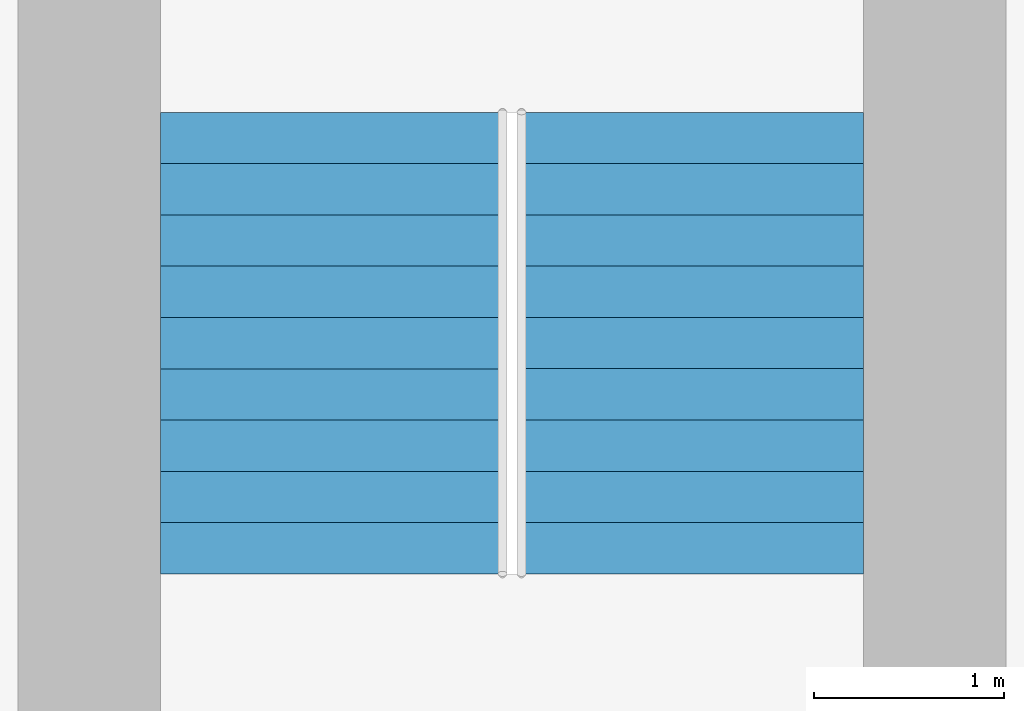
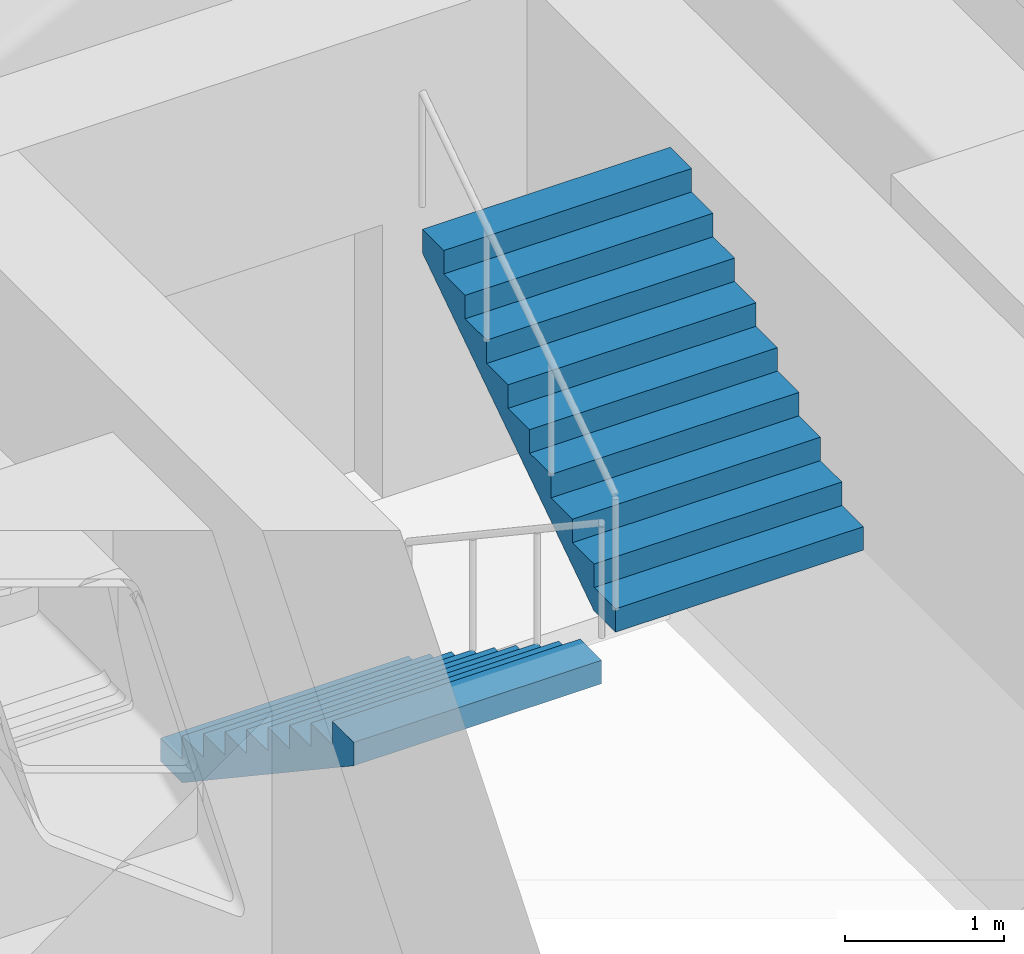
# One storey, part 14 of 15: 2 stair flights, 1 element without a shape of its own.
"""IFC4 building model written with IfcOpenShell, lengths in metres."""

import ifcopenshell
import ifcopenshell.guid

model = None  # the IFC model being written
_history = None  # IfcOwnerHistory: only IFC2X3 demands one
_inside = {}  # id of a spatial element -> (the spatial element, [elements in it])
_under = {}  # id of a project, library or spatial element -> (it, [spatial elements below it])
_declared = {}  # id of a project -> (the project, [libraries it declares])
_typed = {}  # id of a type object -> (the type object, [elements of that type])
_made_of = {}  # id of a material, layer set ... -> (it, [elements and type objects made of it])


def new_model(schema):
    """Start an empty IFC model of exactly this schema.

    Asked for "IFC4X3", IfcOpenShell would pick the latest addendum, in which some entities
    have other attributes; the version numbers below select the first issue.
    IFC2X3 requires an IfcOwnerHistory on every rooted entity: one is made here for all.
    """
    global model, _history
    if schema == "IFC4X3":
        model = ifcopenshell.file(schema_version=(4, 3, 0, 0))
    else:
        model = ifcopenshell.file(schema=schema)
    _inside.clear()
    _under.clear()
    _declared.clear()
    _typed.clear()
    _made_of.clear()
    _history = None
    if model.schema == "IFC2X3":
        org = make("IfcOrganization", Name="unknown")
        user = make(
            "IfcPersonAndOrganization",
            ThePerson=make("IfcPerson", FamilyName="unknown"),
            TheOrganization=org,
        )
        app = make(
            "IfcApplication",
            ApplicationDeveloper=org,
            Version="unknown",
            ApplicationFullName="unknown",
            ApplicationIdentifier="unknown",
        )
        _history = make(
            "IfcOwnerHistory",
            OwningUser=user,
            OwningApplication=app,
            ChangeAction="ADDED",
            CreationDate=0,
        )
    return model


def make(cls, **values):
    """One entity of the class cls with the attributes given. An attribute that is None is left unset."""
    return model.create_entity(
        cls, **{name: value for name, value in values.items() if value is not None}
    )


def rooted(cls, **values):
    """An entity with a GlobalId (a new one), such as an element, a storey or a relation."""
    return make(cls, GlobalId=ifcopenshell.guid.new(), OwnerHistory=_history, **values)


def si_unit(unit_type, name, prefix=None):
    """IfcSIUnit, for example si_unit("LENGTHUNIT", "METRE", prefix="MILLI")."""
    return make("IfcSIUnit", UnitType=unit_type, Prefix=prefix, Name=name)


def assignment(units):
    """IfcUnitAssignment: the units of a project."""
    return None if units is None else make("IfcUnitAssignment", Units=units)


def point(xyz):
    """IfcCartesianPoint."""
    return None if xyz is None else make("IfcCartesianPoint", Coordinates=xyz)


def direction(xyz):
    """IfcDirection."""
    return None if xyz is None else make("IfcDirection", DirectionRatios=xyz)


def frame(location, z_axis=None, x_axis=None):
    """IfcAxis2Placement3D, a coordinate frame: its origin and axes. An axis left out is left unset."""
    return make(
        "IfcAxis2Placement3D",
        Location=point(location),
        Axis=direction(z_axis),
        RefDirection=direction(x_axis),
    )


def origin():
    """The frame at (0, 0, 0) with its axes left unset."""
    return frame((0.0, 0.0, 0.0))


def place(relative_to, where):
    """IfcLocalPlacement: puts the frame where relative to a parent placement (None: the world)."""
    return make(
        "IfcLocalPlacement", PlacementRelTo=relative_to, RelativePlacement=where
    )


def context(
    kind, dimensions, precision=None, world=None, true_north=None, identifier=None
):
    """IfcGeometricRepresentationContext, for example the 3D "Model" context."""
    return make(
        "IfcGeometricRepresentationContext",
        ContextIdentifier=identifier,
        ContextType=kind,
        CoordinateSpaceDimension=dimensions,
        Precision=precision,
        WorldCoordinateSystem=world,
        TrueNorth=true_north,
    )


def subcontext(parent, identifier, kind, view, scale=None):
    """IfcGeometricRepresentationSubContext, for example "Body" below "Model"."""
    return make(
        "IfcGeometricRepresentationSubContext",
        ContextIdentifier=identifier,
        ContextType=kind,
        ParentContext=parent,
        TargetScale=scale,
        TargetView=view,
    )


def project(units=None, contexts=None):
    """IfcProject with its units and contexts."""
    return rooted(
        "IfcProject",
        Name="project",
        RepresentationContexts=contexts,
        UnitsInContext=assignment(units),
    )


def spatial(cls, under=None, at=None, **own):
    """A site, building, storey or space (cls), placed at a placement, below another one or the project."""
    s = rooted(cls, ObjectPlacement=at, **own)
    if under is not None:
        _under.setdefault(under.id(), (under, []))[1].append(s)
    return s


def polyline(points):
    """IfcPolyline through the points."""
    return make("IfcPolyline", Points=[point(p) for p in points])


def outline(outer, holes=None, kind="AREA"):
    """IfcArbitraryClosedProfileDef: a profile drawn as a closed curve; with holes, ...WithVoids."""
    if holes is None:
        return make("IfcArbitraryClosedProfileDef", ProfileType=kind, OuterCurve=outer)
    return make(
        "IfcArbitraryProfileDefWithVoids",
        ProfileType=kind,
        OuterCurve=outer,
        InnerCurves=holes,
    )


def extrude(swept, where, along, depth):
    """IfcExtrudedAreaSolid: the profile swept, set in the frame where, extruded along a direction by depth."""
    return make(
        "IfcExtrudedAreaSolid",
        SweptArea=swept,
        Position=where,
        ExtrudedDirection=direction(along),
        Depth=depth,
    )


def shape(context_of_items, identifier, shape_type, items):
    """IfcShapeRepresentation: the items that make up one representation, for example the "Body"."""
    return make(
        "IfcShapeRepresentation",
        ContextOfItems=context_of_items,
        RepresentationIdentifier=identifier,
        RepresentationType=shape_type,
        Items=items,
    )


def material(Name=None, Category=None):
    """IfcMaterial."""
    return make("IfcMaterial", Name=Name, Category=Category)


def made_of(thing, what):
    """Note that an element or type object is made of a material, layer set ...; save() writes the relation."""
    if what is not None:
        _made_of.setdefault(what.id(), (what, []))[1].append(thing)
    return thing


def type_object(cls, material=None, **own):
    """A type object (cls), such as IfcWallType, which elements share."""
    return made_of(rooted(cls, **own), material)


def element(
    cls,
    number,
    at=None,
    inside=None,
    cuts=None,
    type_object=None,
    material=None,
    context=None,
    identifier="Body",
    shape_type=None,
    held_by="IfcProductDefinitionShape",
    body=None,
    shapes=None,
    **own,
):
    """One element of the class cls, such as IfcWall. Its Tag is "e" and its number.

    at: its placement. inside: the storey or other place that contains it. cuts: it is an
    opening in that element (IfcRelVoidsElement). A single representation is given by context,
    identifier, shape_type and body (its items); several are given by shapes. held_by: the class
    of the entity that holds the representations. save() writes the other relations.
    """
    e = rooted(cls, Tag="e%d" % number, ObjectPlacement=at, **own)
    if body is not None:
        shapes = [shape(context, identifier, shape_type, body)]
    if shapes is not None:
        e.Representation = make(held_by, Representations=shapes)
    if inside is not None:
        _inside.setdefault(inside.id(), (inside, []))[1].append(e)
    if cuts is not None:
        rooted(
            "IfcRelVoidsElement", RelatingBuildingElement=cuts, RelatedOpeningElement=e
        )
    if type_object is not None:
        _typed.setdefault(type_object.id(), (type_object, []))[1].append(e)
    return made_of(e, material)


def aggregate(whole, parts):
    """IfcRelAggregates: a whole, such as a stair, and the parts it consists of."""
    return rooted("IfcRelAggregates", RelatingObject=whole, RelatedObjects=parts)


def save(model, path):
    """Write the relations noted so far, then the file.

    IfcRelAggregates (storeys below a building ...), IfcRelContainedInSpatialStructure (elements
    in a storey), IfcRelDefinesByType, IfcRelAssociatesMaterial and IfcRelDeclares: one each for
    every whole, place, type object, material and project.
    """
    for whole, parts in _under.values():
        aggregate(whole, parts)
    for where, things in _inside.values():
        rooted(
            "IfcRelContainedInSpatialStructure",
            RelatedElements=things,
            RelatingStructure=where,
        )
    for kind, things in _typed.values():
        rooted("IfcRelDefinesByType", RelatedObjects=things, RelatingType=kind)
    for what, things in _made_of.values():
        rooted("IfcRelAssociatesMaterial", RelatedObjects=things, RelatingMaterial=what)
    for by, libraries in _declared.values():
        rooted("IfcRelDeclares", RelatingContext=by, RelatedDefinitions=libraries)
    model.write(path)


model = new_model("IFC4")

# Units and contexts
model_context = context("Model", 3, precision=1e-05, world=origin(), true_north=direction((0.0, 1.0)))
body_context = subcontext(model_context, "Body", "Model", "MODEL_VIEW")
ifc_project = project(units=[si_unit("LENGTHUNIT", "METRE"), si_unit("AREAUNIT", "SQUARE_METRE"), si_unit("VOLUMEUNIT", "CUBIC_METRE"), si_unit("PLANEANGLEUNIT", "RADIAN"), si_unit("MASSUNIT", "GRAM", prefix="KILO")], contexts=[model_context])

# Site, building, storey
site_placement = place(None, origin())
site = spatial("IfcSite", under=ifc_project, at=site_placement, CompositionType="ELEMENT")
building_placement = place(site_placement, origin())
building = spatial("IfcBuilding", under=site, at=building_placement, Name="Cleftline Residences", CompositionType="ELEMENT")
storey_placement = place(building_placement, frame((0.0, 0.0, 132.199951171875)))
storey = spatial("IfcBuildingStorey", under=building, at=storey_placement, Name="L34", CompositionType="ELEMENT", Elevation=132.199951171875)

# Stair, stair flights
ifc_material_1 = material(Name="Concrete B45, stone treads", Category="masonry")
stair_type = type_object("IfcStairType", Name="STAIR E 1800 WIDE 180 RISER", PredefinedType="HALF_TURN_STAIR", material=ifc_material_1)
stair_placement = place(storey_placement, origin())
stair = element("IfcStair", 1, at=stair_placement, inside=storey, type_object=stair_type, Name="Stair E L34", PredefinedType="HALF_TURN_STAIR")
ifc_material_2 = material(Name="Concrete B45", Category="concrete")
stair_flight_type = type_object("IfcStairFlightType", Name="STAIR E FLIGHT 1800X180", PredefinedType="STRAIGHT", material=ifc_material_2)
stair_flight_1_placement = place(storey_placement, frame((60.925048828125, 26.175048828125, 0.0), z_axis=(0.0, 0.0, 1.0), x_axis=(0.0, -1.0, 0.0)))
stair_flight_1 = element("IfcStairFlight", 2, at=stair_flight_1_placement, type_object=stair_flight_type, Name="ST-E flight 1", NumberOfRisers=10, NumberOfTreads=9, PredefinedType="STRAIGHT", RiserHeight=0.18, TreadLength=0.27, context=body_context, shape_type="SweptSolid", body=[
    extrude(outline(polyline([(0.0, 0.0), (0.0, 0.013916015625), (0.0, 0.027587890625), (0.0, 0.04150390625), (0.0, 0.055419921875), (0.0, 0.0693359375), (0.0, 0.0830078125), (0.0, 0.096923828125), (0.0, 0.11083984375), (0.0, 0.12451171875), (0.0, 0.138427734375), (0.0, 0.15234375), (0.0, 0.166259765625), (0.0, 0.179931640625), (0.27001953125, 0.179931640625), (0.27001953125, 0.360107421875), (0.5400390625, 0.360107421875), (0.5400390625, 0.5400390625), (0.81005859375, 0.5400390625), (0.81005859375, 0.719970703125), (1.080078125, 0.719970703125), (1.080078125, 0.89990234375), (1.35009765625, 0.89990234375), (1.35009765625, 1.080078125), (1.6201171875, 1.080078125), (1.6201171875, 1.260009765625), (1.889892578125, 1.260009765625), (1.889892578125, 1.43994140625), (2.159912109375, 1.43994140625), (2.159912109375, 1.6201171875), (2.429931640625, 1.6201171875), (2.429931640625, 1.800048828125), (2.429931640625, 1.772216796875), (2.429931640625, 1.74462890625), (2.429931640625, 1.716796875), (2.429931640625, 1.689208984375), (2.429931640625, 1.661376953125), (2.429931640625, 1.6337890625), (2.429931640625, 1.60595703125), (2.429931640625, 1.578369140625), (2.429931640625, 1.550537109375), (2.429931640625, 1.52294921875), (2.429931640625, 1.495361328125), (2.429931640625, 1.467529296875), (2.429931640625, 1.43994140625), (0.270263671875, 0.0), (0.0, 0.0)])), frame((0.0, 0.89990234375, 0.0), z_axis=(0.0, -1.0, 0.0), x_axis=(1.0, 0.0, 0.0)), (0.0, 0.0, 1.0), 1.800048828125),
])
stair_flight_2_placement = place(storey_placement, frame((62.824951171875, 23.7451171875, 1.800048828125), z_axis=(0.0, 0.0, 1.0), x_axis=(0.0, 1.0, 0.0)))
stair_flight_2 = element("IfcStairFlight", 3, at=stair_flight_2_placement, type_object=stair_flight_type, Name="ST-E flight 2", NumberOfRisers=10, NumberOfTreads=9, PredefinedType="STRAIGHT", RiserHeight=0.18, TreadLength=0.27, context=body_context, shape_type="SweptSolid", body=[
    extrude(outline(polyline([(0.0, 0.0), (0.0, 0.013916015625), (0.0, 0.027587890625), (0.0, 0.04150390625), (0.0, 0.055419921875), (0.0, 0.0693359375), (0.0, 0.0830078125), (0.0, 0.096923828125), (0.0, 0.11083984375), (0.0, 0.12451171875), (0.0, 0.138427734375), (0.0, 0.15234375), (0.0, 0.166259765625), (0.0, 0.179931640625), (0.27001953125, 0.179931640625), (0.27001953125, 0.360107421875), (0.5400390625, 0.360107421875), (0.5400390625, 0.5400390625), (0.81005859375, 0.5400390625), (0.81005859375, 0.719970703125), (1.080078125, 0.719970703125), (1.080078125, 0.89990234375), (1.35009765625, 0.89990234375), (1.35009765625, 1.080078125), (1.6201171875, 1.080078125), (1.6201171875, 1.260009765625), (1.889892578125, 1.260009765625), (1.889892578125, 1.43994140625), (2.159912109375, 1.43994140625), (2.159912109375, 1.6201171875), (2.429931640625, 1.6201171875), (2.429931640625, 1.800048828125), (2.429931640625, 1.772216796875), (2.429931640625, 1.74462890625), (2.429931640625, 1.716796875), (2.429931640625, 1.689208984375), (2.429931640625, 1.661376953125), (2.429931640625, 1.6337890625), (2.429931640625, 1.60595703125), (2.429931640625, 1.578369140625), (2.429931640625, 1.550537109375), (2.429931640625, 1.52294921875), (2.429931640625, 1.495361328125), (2.429931640625, 1.467529296875), (2.429931640625, 1.43994140625), (0.270263671875, 0.0), (0.0, 0.0)])), frame((0.0, 0.89990234375, 0.0), z_axis=(0.0, -1.0, 0.0), x_axis=(1.0, 0.0, 0.0)), (0.0, 0.0, 1.0), 1.800048828125),
])
aggregate(stair, [stair_flight_1, stair_flight_2])

save(model, "model.ifc")
